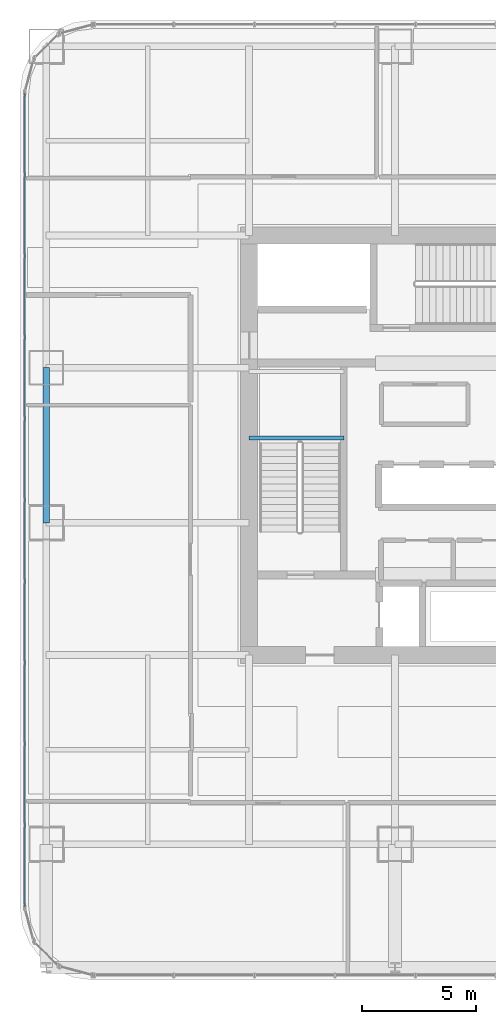
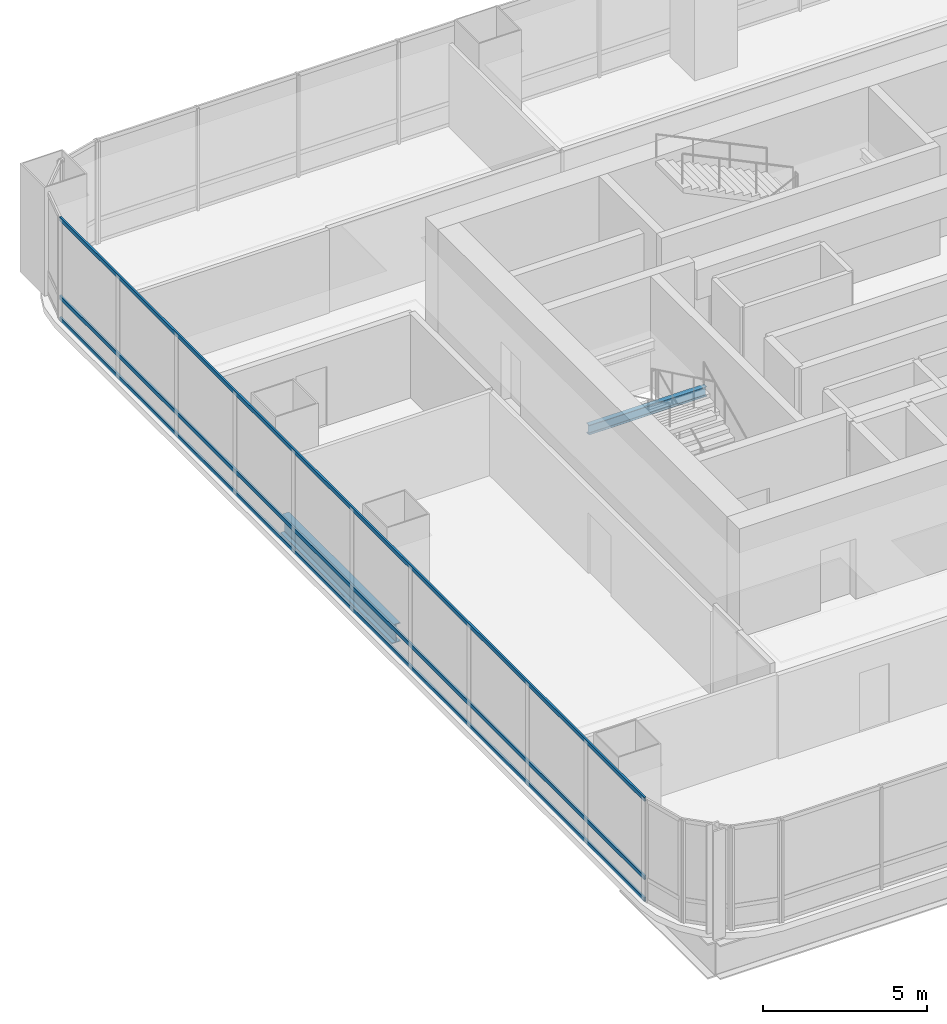
# One storey, part 9 of 34: 3 members, 2 beams, 1 element without a shape of its own.
"""IFC4 building model written with IfcOpenShell, lengths in metres."""

from ifc_helpers import new_model, si_unit, direction, frame, origin, origin_2d, place, context, subcontext, project, spatial, hollow_rectangle, i_section, extrude, material, material_profile, profile_set, type_object, element, aggregate, save


model = new_model("IFC4")

# Units and contexts
model_context = context("Model", 3, precision=1e-05, world=origin(), true_north=direction((0.0, 1.0)))
body_context = subcontext(model_context, "Body", "Model", "MODEL_VIEW")
ifc_project = project(units=[si_unit("LENGTHUNIT", "METRE"), si_unit("AREAUNIT", "SQUARE_METRE"), si_unit("VOLUMEUNIT", "CUBIC_METRE"), si_unit("PLANEANGLEUNIT", "RADIAN"), si_unit("MASSUNIT", "GRAM", prefix="KILO")], contexts=[model_context])

# Site, building, storey
site_placement = place(None, origin())
site = spatial("IfcSite", under=ifc_project, at=site_placement, CompositionType="ELEMENT")
building_placement = place(site_placement, origin())
building = spatial("IfcBuilding", under=site, at=building_placement, Name="Punatoya Terracotta Tower", CompositionType="ELEMENT")
storey_placement = place(building_placement, frame((0.0, 0.0, 84.89990234375)))
storey = spatial("IfcBuildingStorey", under=building, at=storey_placement, Name="L19", CompositionType="ELEMENT", Elevation=84.89990234375)

# Beams
ifc_material_1 = material(Name="Steel S355", Category="steel")
ifc_material_profile_1 = material_profile(ifc_material_1, i_section(OverallWidth=0.300048828125, OverallDepth=0.699951171875, WebThickness=0.01708984375, FlangeThickness=0.031982421875, FilletRadius=0.01806640625, at=origin_2d()))
ifc_profile_set_1 = profile_set([ifc_material_profile_1], Name="Steel S355")
beam_type_1 = type_object("IfcBeamType", Name="BM-PRI-700", PredefinedType="BEAM", material=ifc_profile_set_1)
beam_1_placement = place(storey_placement, frame((-19.10009765625, -3.39990234375, -0.58984375), z_axis=(0.0, 1.0, 0.0), x_axis=(-1.0, 0.0, 0.0)))
element("IfcBeam", 1, at=beam_1_placement, inside=storey, type_object=beam_type_1, Name="BM-L19-RG-W2", PredefinedType="BEAM", context=body_context, shape_type="SweptSolid", body=[
    extrude(i_section(OverallWidth=0.300048828125, OverallDepth=0.699951171875, WebThickness=0.01708984375, FlangeThickness=0.031982421875, FilletRadius=0.01806640625, at=origin_2d()), origin(), (0.0, 0.0, 1.0), 6.7998046875),
])
ifc_material_profile_2 = material_profile(ifc_material_1, i_section(OverallWidth=0.169921875, OverallDepth=0.360107421875, WebThickness=0.008056640625, FlangeThickness=0.0126953125, FilletRadius=0.01806640625, at=origin_2d()))
ifc_profile_set_2 = profile_set([ifc_material_profile_2], Name="Steel S355")
beam_type_2 = type_object("IfcBeamType", Name="BM-SEC-360", PredefinedType="JOIST", material=ifc_profile_set_2)
beam_2_placement = place(storey_placement, frame((-10.199951171875, 0.320068359375, 1.64501953125), z_axis=(1.0, 0.0, 0.0), x_axis=(0.0, 1.0, 0.0)))
element("IfcBeam", 2, at=beam_2_placement, inside=storey, type_object=beam_type_2, Name="BM-L19-ST-1-LD1A", PredefinedType="JOIST", context=body_context, shape_type="SweptSolid", body=[
    extrude(i_section(OverallWidth=0.169921875, OverallDepth=0.360107421875, WebThickness=0.008056640625, FlangeThickness=0.0126953125, FilletRadius=0.01806640625, at=origin_2d()), origin(), (0.0, 0.0, 1.0), 4.14990234375),
])

# Curtain wall, members
ifc_material_2 = material(Name="Aluminium 6063-T6 + Double Low-E Glass", Category="aluminium")
curtain_wall_type = type_object("IfcCurtainWallType", Name="CW-M1", PredefinedType="NOTDEFINED", material=ifc_material_2)
curtain_wall_placement = place(storey_placement, origin())
curtain_wall = element("IfcCurtainWall", 3, at=curtain_wall_placement, inside=storey, type_object=curtain_wall_type, Name="L19 Curtain Wall CW-L19-W13-1", PredefinedType="NOTDEFINED")
ifc_material_3 = material(Name="Aluminium 6063-T6", Category="aluminium")
ifc_material_profile_3 = material_profile(ifc_material_3, hollow_rectangle(XDim=0.068115234375, YDim=0.14990234375, WallThickness=0.00390625, at=origin_2d()))
ifc_profile_set_3 = profile_set([ifc_material_profile_3], Name="Aluminium 6063-T6")
member_type = type_object("IfcMemberType", Name="CW-TRN-TYP", PredefinedType="USERDEFINED", material=ifc_profile_set_3)
member_1_placement = place(storey_placement, frame((-20.050048828125, 15.43701171875, 0.0400390625), z_axis=(0.0, -1.0, 0.0), x_axis=(1.0, 0.0, 0.0)))
member_1 = element("IfcMember", 4, at=member_1_placement, type_object=member_type, Name="CW-L19-W13-1 Transom 1", ObjectType="TRANSOM", PredefinedType="USERDEFINED", context=body_context, shape_type="SweptSolid", body=[
    extrude(hollow_rectangle(XDim=0.068115234375, YDim=0.14990234375, WallThickness=0.00390625, at=origin_2d()), origin(), (0.0, 0.0, 1.0), 35.673828125),
])
member_2_placement = place(storey_placement, frame((-20.050048828125, 15.43701171875, 0.85009765625), z_axis=(0.0, -1.0, 0.0), x_axis=(1.0, 0.0, 0.0)))
member_2 = element("IfcMember", 5, at=member_2_placement, type_object=member_type, Name="CW-L19-W13-1 Transom 2", ObjectType="TRANSOM", PredefinedType="USERDEFINED", context=body_context, shape_type="SweptSolid", body=[
    extrude(hollow_rectangle(XDim=0.068115234375, YDim=0.14990234375, WallThickness=0.00390625, at=origin_2d()), origin(), (0.0, 0.0, 1.0), 35.673828125),
])
member_3_placement = place(storey_placement, frame((-20.050048828125, 15.43701171875, 3.77001953125), z_axis=(0.0, -1.0, 0.0), x_axis=(1.0, 0.0, 0.0)))
member_3 = element("IfcMember", 6, at=member_3_placement, type_object=member_type, Name="CW-L19-W13-1 Transom 3", ObjectType="TRANSOM", PredefinedType="USERDEFINED", context=body_context, shape_type="SweptSolid", body=[
    extrude(hollow_rectangle(XDim=0.068115234375, YDim=0.14990234375, WallThickness=0.00390625, at=origin_2d()), origin(), (0.0, 0.0, 1.0), 35.673828125),
])
aggregate(curtain_wall, [member_1, member_2, member_3])

save(model, "model.ifc")
